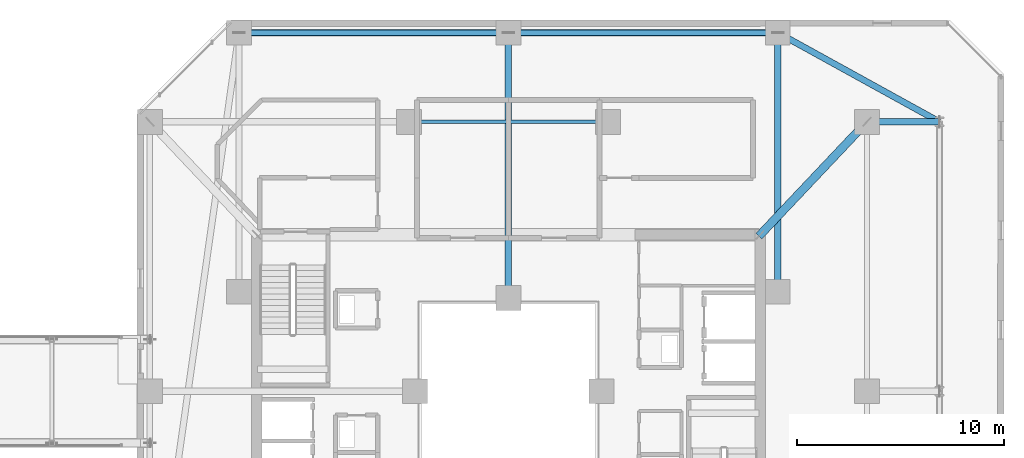
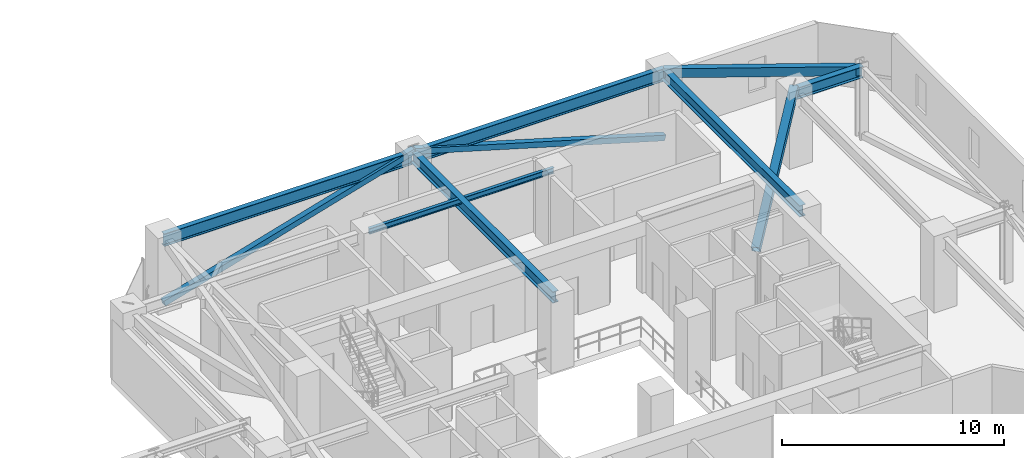
# One storey, part 26 of 45: 7 beams, 3 members.
"""IFC4 building model written with IfcOpenShell, lengths in metres."""

from ifc_helpers import new_model, si_unit, direction, frame, origin, origin_2d, place, context, subcontext, project, spatial, hollow_rectangle, i_section, extrude, material, material_profile, profile_set, type_object, element, save


model = new_model("IFC4")

# Units and contexts
model_context = context("Model", 3, precision=1e-05, world=origin(), true_north=direction((0.0, 1.0)))
body_context = subcontext(model_context, "Body", "Model", "MODEL_VIEW")
ifc_project = project(units=[si_unit("LENGTHUNIT", "METRE"), si_unit("AREAUNIT", "SQUARE_METRE"), si_unit("VOLUMEUNIT", "CUBIC_METRE"), si_unit("PLANEANGLEUNIT", "RADIAN"), si_unit("MASSUNIT", "GRAM", prefix="KILO")], contexts=[model_context])

# Site, building, storey
site_placement = place(None, origin())
site = spatial("IfcSite", under=ifc_project, at=site_placement, CompositionType="ELEMENT")
building_placement = place(site_placement, origin())
building = spatial("IfcBuilding", under=site, at=building_placement, Name="Thornwick Lancets Civic Towers", CompositionType="ELEMENT")
storey_placement = place(building_placement, frame((0.0, 0.0, 141.300048828125)))
storey = spatial("IfcBuildingStorey", under=building, at=storey_placement, Name="L37", CompositionType="ELEMENT", Elevation=141.300048828125)

# Beams
ifc_material_1 = material(Name="Steel S355JR", Category="steel")
ifc_material_profile_1 = material_profile(ifc_material_1, i_section(OverallWidth=0.30712890625, OverallDepth=0.6201171875, WebThickness=0.01416015625, FlangeThickness=0.023681640625, FilletRadius=0.0166015625, at=origin_2d()), Name="UKB 610x305x179")
ifc_profile_set_1 = profile_set([ifc_material_profile_1], Name="Steel S355JR")
beam_type_1 = type_object("IfcBeamType", Name="BM_GIRD_610_179", PredefinedType="BEAM", material=ifc_profile_set_1)
beam_1_placement = place(storey_placement, frame((105.800048828125, 40.0, 3.64990234375), z_axis=(1.0, 0.0, 0.0), x_axis=(0.0, 1.0, 0.0)))
element("IfcBeam", 1, at=beam_1_placement, inside=storey, type_object=beam_type_1, Name="BM-RAD-L37-B03", PredefinedType="BEAM", context=body_context, shape_type="SweptSolid", body=[
    extrude(i_section(OverallWidth=0.30712890625, OverallDepth=0.6201171875, WebThickness=0.01416015625, FlangeThickness=0.023681640625, FilletRadius=0.0166015625, at=origin_2d()), origin(), (0.0, 0.0, 1.0), 3.5),
])
beam_2_placement = place(storey_placement, frame((101.5, 31.800048828125, 3.64990234375), z_axis=(0.0, 1.0, 0.0), x_axis=(-1.0, 0.0, 0.0)))
element("IfcBeam", 2, at=beam_2_placement, inside=storey, type_object=beam_type_1, Name="BM-RADIN-L37-B04", PredefinedType="BEAM", context=body_context, shape_type="SweptSolid", body=[
    extrude(i_section(OverallWidth=0.30712890625, OverallDepth=0.6201171875, WebThickness=0.01416015625, FlangeThickness=0.023681640625, FilletRadius=0.0166015625, at=origin_2d()), origin(), (0.0, 0.0, 1.0), 12.5),
])
beam_3_placement = place(storey_placement, frame((88.5, 31.5, 3.64990234375), z_axis=(0.0, 1.0, 0.0), x_axis=(-1.0, 0.0, 0.0)))
element("IfcBeam", 3, at=beam_3_placement, inside=storey, type_object=beam_type_1, Name="BM-RADIN-L37-B05", PredefinedType="BEAM", context=body_context, shape_type="SweptSolid", body=[
    extrude(i_section(OverallWidth=0.30712890625, OverallDepth=0.6201171875, WebThickness=0.01416015625, FlangeThickness=0.023681640625, FilletRadius=0.0166015625, at=origin_2d()), origin(), (0.0, 0.0, 1.0), 12.800048828125),
])
ifc_material_profile_2 = material_profile(ifc_material_1, i_section(OverallWidth=0.255859375, OverallDepth=0.69287109375, WebThickness=0.014404296875, FlangeThickness=0.023681640625, FilletRadius=0.01513671875, at=origin_2d()), Name="UKB 686x254x170")
ifc_profile_set_2 = profile_set([ifc_material_profile_2], Name="Steel S355JR")
beam_type_2 = type_object("IfcBeamType", Name="BM_GIRD_686_170", PredefinedType="BEAM", material=ifc_profile_set_2)
beam_4_placement = place(storey_placement, frame((101.5, 44.300048828125, 3.613525390625), z_axis=(-1.0, 0.0, 0.0), x_axis=(0.0, -1.0, 0.0)))
element("IfcBeam", 4, at=beam_4_placement, inside=storey, type_object=beam_type_2, Name="BM-SPINE-L37-B-3-4", PredefinedType="BEAM", context=body_context, shape_type="SweptSolid", body=[
    extrude(i_section(OverallWidth=0.255859375, OverallDepth=0.69287109375, WebThickness=0.014404296875, FlangeThickness=0.023681640625, FilletRadius=0.01513671875, at=origin_2d()), origin(), (0.0, 0.0, 1.0), 13.0),
])
beam_5_placement = place(storey_placement, frame((88.419921875, 44.300048828125, 3.613525390625), z_axis=(-1.0, 0.0, 0.0), x_axis=(0.0, -1.0, 0.0)))
element("IfcBeam", 5, at=beam_5_placement, inside=storey, type_object=beam_type_2, Name="BM-SPINE-L37-B-4-5", PredefinedType="BEAM", context=body_context, shape_type="SweptSolid", body=[
    extrude(i_section(OverallWidth=0.255859375, OverallDepth=0.69287109375, WebThickness=0.014404296875, FlangeThickness=0.023681640625, FilletRadius=0.01513671875, at=origin_2d()), origin(), (0.0, 0.0, 1.0), 12.919921875),
])
ifc_material_profile_3 = material_profile(ifc_material_1, i_section(OverallWidth=0.1669921875, OverallDepth=0.310302734375, WebThickness=0.0078125, FlangeThickness=0.013671875, FilletRadius=0.0087890625, at=origin_2d()), Name="UKB 305x165x54")
ifc_profile_set_3 = profile_set([ifc_material_profile_3], Name="Steel S355JR")
beam_type_3 = type_object("IfcBeamType", Name="BM_LINTEL_305_54", PredefinedType="LINTEL", material=ifc_profile_set_3)
beam_6_placement = place(storey_placement, frame((93.300048828125, 40.0, 3.8046875), z_axis=(-1.0, 0.0, 0.0), x_axis=(0.0, -1.0, 0.0)))
element("IfcBeam", 6, at=beam_6_placement, inside=storey, type_object=beam_type_3, Name="BM-INSP-L37-B-1-3", PredefinedType="LINTEL", context=body_context, shape_type="SweptSolid", body=[
    extrude(i_section(OverallWidth=0.1669921875, OverallDepth=0.310302734375, WebThickness=0.0078125, FlangeThickness=0.013671875, FilletRadius=0.0087890625, at=origin_2d()), origin(), (0.0, 0.0, 1.0), 9.60009765625),
])
ifc_material_2 = material(Name="Steel S460M", Category="steel")
ifc_material_profile_4 = material_profile(ifc_material_2, hollow_rectangle(XDim=0.300048828125, YDim=0.5, WallThickness=0.02001953125, at=origin_2d()), Name="RHS 500x300x20")
ifc_profile_set_4 = profile_set([ifc_material_profile_4], Name="Steel S460M")
beam_type_4 = type_object("IfcBeamType", Name="BM_RING_RHS500", PredefinedType="BEAM", material=ifc_profile_set_4)
beam_7_placement = place(storey_placement, frame((109.300048828125, 40.0, 3.7099609375), z_axis=(-0.875740348708, 0.482782395749, 0.0), x_axis=(-0.482782395749, -0.875740348708, 0.0)))
element("IfcBeam", 7, at=beam_7_placement, inside=storey, type_object=beam_type_4, Name="BM-CHAMF-L37-B-C0", PredefinedType="BEAM", context=body_context, shape_type="SweptSolid", body=[
    extrude(hollow_rectangle(XDim=0.300048828125, YDim=0.5, WallThickness=0.02001953125, at=origin_2d()), origin(), (0.0, 0.0, 1.0), 8.90673828125),
])

# Members
ifc_material_profile_5 = material_profile(ifc_material_2, hollow_rectangle(XDim=0.300048828125, YDim=0.300048828125, WallThickness=0.01611328125, at=origin_2d()), Name="SHS 300x300x16")
ifc_profile_set_5 = profile_set([ifc_material_profile_5], Name="Steel S460M")
member_type_1 = type_object("IfcMemberType", Name="MEM_BELT_SHS300", PredefinedType="BRACE", material=ifc_profile_set_5)
for number, where, z_axis, x_axis, name in (
    (8, (101.5, 44.300048828125, 0.14990234375), (-0.959634246783, 0.0, 0.281250977601), (0.0, -1.0, 0.0), "L37 Belt Truss Diagonal B-S1-1"),
    (9, (75.5, 44.300048828125, 0.14990234375), (0.959634246783, 0.0, 0.281250977601), (0.0, 1.0, 0.0), "L37 Belt Truss Diagonal B-S1-2"),
):
    element("IfcMember", number, at=place(storey_placement, frame(where, z_axis=z_axis, x_axis=x_axis)), inside=storey, type_object=member_type_1, Name=name, PredefinedType="BRACE", context=body_context, shape_type="SweptSolid", body=[
        extrude(hollow_rectangle(XDim=0.300048828125, YDim=0.300048828125, WallThickness=0.01611328125, at=origin_2d()), origin(), (0.0, 0.0, 1.0), 13.546875),
    ])
ifc_material_profile_6 = material_profile(ifc_material_2, hollow_rectangle(XDim=0.39990234375, YDim=0.39990234375, WallThickness=0.02001953125, at=origin_2d()), Name="SHS 400x400x20")
ifc_profile_set_6 = profile_set([ifc_material_profile_6], Name="Steel S460M")
member_type_2 = type_object("IfcMemberType", Name="MEM_OUTRIG_SHS400", PredefinedType="BRACE", material=ifc_profile_set_6)
member_placement = place(storey_placement, frame((100.64990234375, 34.550048828125, 0.14990234375), z_axis=(0.612321218604, 0.6479661798, 0.452992886349), x_axis=(-0.726815378038, 0.686832880872, 0.0)))
element("IfcMember", 10, at=member_placement, inside=storey, type_object=member_type_2, Name="L37 Outrigger Brace B-2", PredefinedType="BRACE", context=body_context, shape_type="SweptSolid", body=[
    extrude(hollow_rectangle(XDim=0.39990234375, YDim=0.39990234375, WallThickness=0.02001953125, at=origin_2d()), origin(), (0.0, 0.0, 1.0), 8.410888671875),
])

save(model, "model.ifc")
